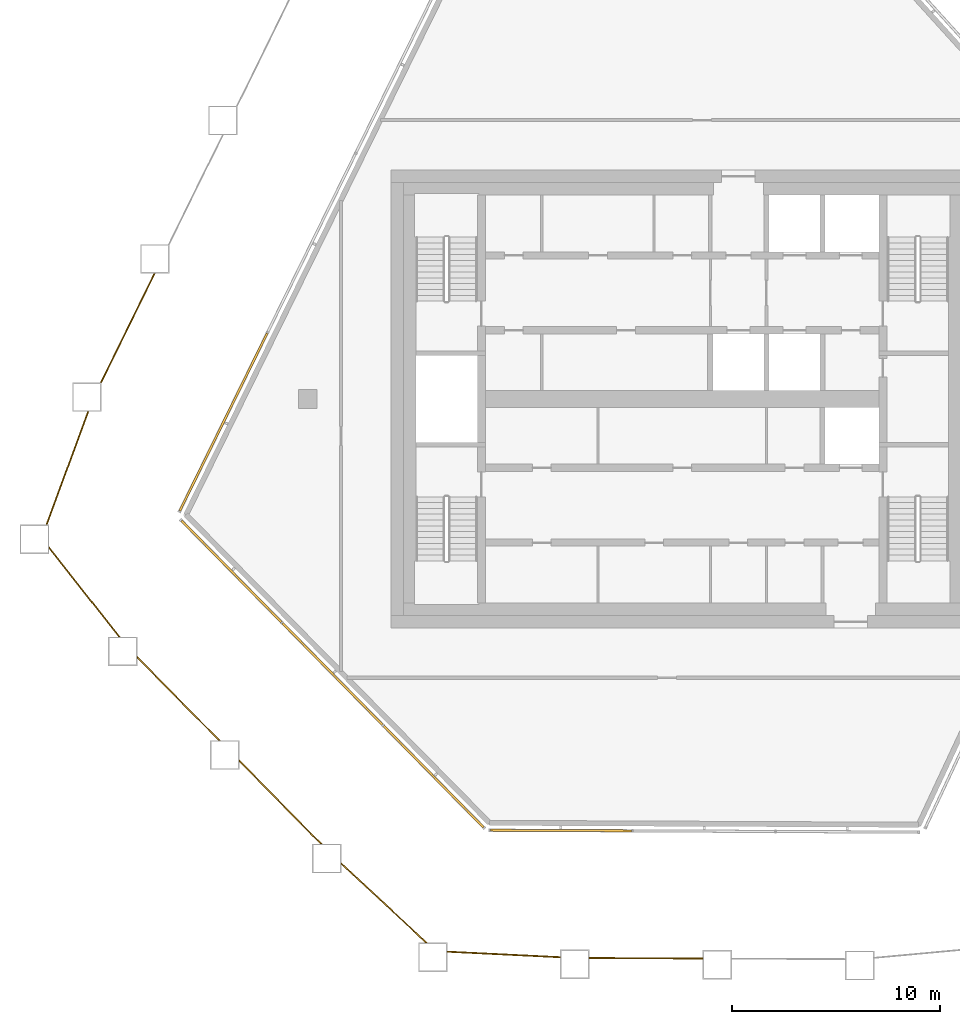
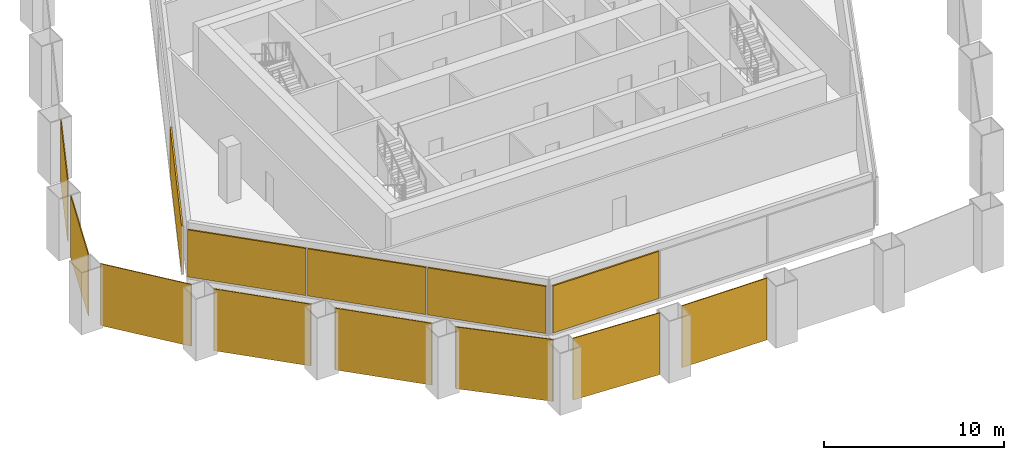
# One storey, part 12 of 18: 13 coverings, 3 elements without a shape of their own.
"""IFC4 building model written with IfcOpenShell, lengths in metres."""

from ifc_helpers import new_model, si_unit, direction, frame, origin, origin_2d, place, context, subcontext, project, spatial, polyline, rectangle, outline, extrude, material, layer, layer_set, type_object, element, aggregate, save


model = new_model("IFC4")

# Units and contexts
model_context = context("Model", 3, precision=1e-05, world=origin(), true_north=direction((0.0, 1.0)))
body_context = subcontext(model_context, "Body", "Model", "MODEL_VIEW")
ifc_project = project(units=[si_unit("LENGTHUNIT", "METRE"), si_unit("AREAUNIT", "SQUARE_METRE"), si_unit("VOLUMEUNIT", "CUBIC_METRE"), si_unit("PLANEANGLEUNIT", "RADIAN"), si_unit("MASSUNIT", "GRAM", prefix="KILO")], contexts=[model_context])

# Site, building, storey
site_placement = place(None, origin())
site = spatial("IfcSite", under=ifc_project, at=site_placement, CompositionType="ELEMENT")
building_placement = place(site_placement, origin())
building = spatial("IfcBuilding", under=site, at=building_placement, Name="Dongbaek Canopy Tower", CompositionType="ELEMENT")
storey_placement = place(building_placement, frame((0.0, 0.0, 363.199951171875)))
storey = spatial("IfcBuildingStorey", under=building, at=storey_placement, Name="L78", CompositionType="ELEMENT", Elevation=363.199951171875)

# Coverings
ifc_material_1 = material(Name="Perforated pale metal")
ifc_layer_1 = layer(ifc_material_1, 0.06005859375)
ifc_layer_set_1 = layer_set([ifc_layer_1], Name="Crown plant screen")
covering_type_1 = type_object("IfcCoveringType", Name="Crown plant screen", PredefinedType="CLADDING", material=ifc_layer_set_1)
covering_1_placement = place(storey_placement, origin())
element("IfcCovering", 1, at=covering_1_placement, inside=storey, type_object=covering_type_1, Name="Crown plant screen 1 L78", PredefinedType="CLADDING", context=body_context, shape_type="SweptSolid", body=[
    extrude(outline(polyline([(-30.428955078125, -7.197998046875), (-30.428955078125, -7.10107421875), (-27.02001953125, -11.43408203125), (-27.09619140625, -11.43408203125), (-30.428955078125, -7.197998046875)])), origin(), (0.0, 0.0, 1.0), 4.199951171875),
])
covering_2_placement = place(storey_placement, origin())
element("IfcCovering", 2, at=covering_2_placement, inside=storey, type_object=covering_type_1, Name="Crown plant screen 2 L78", PredefinedType="CLADDING", context=body_context, shape_type="SweptSolid", body=[
    extrude(outline(polyline([(-26.18896484375, -12.4599609375), (-26.18896484375, -12.37451171875), (-22.21240234375, -16.412109375), (-22.29638671875, -16.412109375), (-26.18896484375, -12.4599609375)])), origin(), (0.0, 0.0, 1.0), 4.199951171875),
])
covering_3_placement = place(storey_placement, origin())
element("IfcCovering", 3, at=covering_3_placement, inside=storey, type_object=covering_type_1, Name="Crown plant screen 3 L78", PredefinedType="CLADDING", context=body_context, shape_type="SweptSolid", body=[
    extrude(outline(polyline([(-21.285888671875, -17.43798828125), (-21.285888671875, -17.352294921875), (-17.310302734375, -21.388916015625), (-17.39453125, -21.388916015625), (-21.285888671875, -17.43798828125)])), origin(), (0.0, 0.0, 1.0), 4.199951171875),
])
covering_4_placement = place(storey_placement, origin())
element("IfcCovering", 4, at=covering_4_placement, inside=storey, type_object=covering_type_1, Name="Crown plant screen 4 L78", PredefinedType="CLADDING", context=body_context, shape_type="SweptSolid", body=[
    extrude(outline(polyline([(-16.384033203125, -22.371337890625), (-16.384033203125, -22.289306640625), (-12.253173828125, -26.131103515625), (-12.34130859375, -26.131103515625), (-16.384033203125, -22.371337890625)])), origin(), (0.0, 0.0, 1.0), 4.199951171875),
])
covering_5_placement = place(storey_placement, origin())
element("IfcCovering", 5, at=covering_5_placement, inside=storey, type_object=covering_type_1, Name="Crown plant screen 5 L78", PredefinedType="CLADDING", context=body_context, shape_type="SweptSolid", body=[
    extrude(outline(polyline([(-11.284912109375, -26.59521484375), (-11.284912109375, -26.53515625), (-5.865966796875, -26.802001953125), (-5.865966796875, -26.8623046875), (-11.284912109375, -26.59521484375)])), origin(), (0.0, 0.0, 1.0), 4.199951171875),
])
covering_6_placement = place(storey_placement, origin())
element("IfcCovering", 6, at=covering_6_placement, inside=storey, type_object=covering_type_1, Name="Crown plant screen 6 L78", PredefinedType="CLADDING", context=body_context, shape_type="SweptSolid", body=[
    extrude(outline(polyline([(-4.466064453125, -26.900146484375), (-4.466064453125, -26.840087890625), (0.98291015625, -26.864013671875), (0.98291015625, -26.923828125), (-4.466064453125, -26.900146484375)])), origin(), (0.0, 0.0, 1.0), 4.199951171875),
])
covering_7_placement = place(storey_placement, origin())
element("IfcCovering", 7, at=covering_7_placement, inside=storey, type_object=covering_type_1, Name="Crown plant screen 25 L78", PredefinedType="CLADDING", context=body_context, shape_type="SweptSolid", body=[
    extrude(outline(polyline([(-25.390380859375, 6.034912109375), (-25.323486328125, 6.034912109375), (-27.9169921875, 0.76171875), (-27.9169921875, 0.785888671875), (-27.971923828125, 0.785888671875), (-25.390380859375, 6.034912109375)])), origin(), (0.0, 0.0, 1.0), 4.199951171875),
])
covering_8_placement = place(storey_placement, origin())
element("IfcCovering", 8, at=covering_8_placement, inside=storey, type_object=covering_type_1, Name="Crown plant screen 26 L78", PredefinedType="CLADDING", context=body_context, shape_type="SweptSolid", body=[
    extrude(outline(polyline([(-28.586669921875, -0.614013671875), (-28.522705078125, -0.614013671875), (-30.52001953125, -6.044921875), (-30.583984375, -6.044921875), (-28.586669921875, -0.614013671875)])), origin(), (0.0, 0.0, 1.0), 4.199951171875),
])

# Curtain wall, covering
ifc_material_2 = material(Name="Aluminium 6063-T6 pale anodised", Category="aluminium")
ifc_layer_2 = layer(ifc_material_2, 0.14990234375)
ifc_layer_set_2 = layer_set([ifc_layer_2], Name="CW-7 louvre curtain wall")
curtain_wall_type = type_object("IfcCurtainWallType", Name="CW-7 louvre curtain wall", PredefinedType="NOTDEFINED", material=ifc_layer_set_2)
curtain_wall_1_placement = place(storey_placement, origin())
curtain_wall_1 = element("IfcCurtainWall", 9, at=curtain_wall_1_placement, inside=storey, type_object=curtain_wall_type, Name="CW-7 louvre wall L78 F0", PredefinedType="NOTDEFINED")
ifc_material_3 = material(Name="Aluminium 6063-T6 pale metal louvre blades", Category="aluminium")
ifc_layer_3 = layer(ifc_material_3, 0.10009765625)
ifc_layer_set_3 = layer_set([ifc_layer_3], Name="Louvre LV bank 100 x 3200")
covering_type_2 = type_object("IfcCoveringType", Name="Louvre LV bank 100 x 3200", PredefinedType="CLADDING", material=ifc_layer_set_3)
covering_9_placement = place(storey_placement, frame((-5.828369140625, -20.741943359375, 0.30029296875), z_axis=(0.0, 0.0, 1.0), x_axis=(0.999990026762, -0.004466136555, 0.0)))
covering_9 = element("IfcCovering", 10, at=covering_9_placement, type_object=covering_type_2, Name="Louvre L78 F0.1.1", PredefinedType="CLADDING", context=body_context, shape_type="SweptSolid", body=[
    extrude(rectangle(XDim=6.787841796875, YDim=0.10009765625, at=origin_2d()), origin(), (0.0, 0.0, 1.0), 3.199951171875),
])
aggregate(curtain_wall_1, [covering_9])

curtain_wall_2_placement = place(storey_placement, origin())
curtain_wall_2 = element("IfcCurtainWall", 11, at=curtain_wall_2_placement, inside=storey, type_object=curtain_wall_type, Name="CW-7 louvre wall L78 F4", PredefinedType="NOTDEFINED")
covering_10_placement = place(storey_placement, frame((-22.04638671875, -1.105712890625, 0.30029296875), z_axis=(0.0, 0.0, 1.0), x_axis=(-0.441341619439, -0.897339163834, 0.0)))
covering_10 = element("IfcCovering", 12, at=covering_10_placement, type_object=covering_type_2, Name="Louvre L78 F4.1.3", PredefinedType="CLADDING", context=body_context, shape_type="SweptSolid", body=[
    extrude(rectangle(XDim=9.51171875, YDim=0.10009765625, at=origin_2d()), origin(), (0.0, 0.0, 1.0), 3.199951171875),
])
aggregate(curtain_wall_2, [covering_10])

# Curtain wall, coverings
curtain_wall_3_placement = place(storey_placement, origin())
curtain_wall_3 = element("IfcCurtainWall", 13, at=curtain_wall_3_placement, inside=storey, type_object=curtain_wall_type, Name="CW-7 louvre wall L78 F5", PredefinedType="NOTDEFINED")
covering_11_placement = place(storey_placement, frame((-21.669677734375, -8.28173828125, 0.30029296875), z_axis=(0.0, 0.0, 1.0), x_axis=(0.70171826998, -0.712454538603, 0.0)))
covering_11 = element("IfcCovering", 14, at=covering_11_placement, type_object=covering_type_2, Name="Louvre L78 F5.1.1", PredefinedType="CLADDING", context=body_context, shape_type="SweptSolid", body=[
    extrude(rectangle(XDim=6.83837890625, YDim=0.10009765625, at=origin_2d()), origin(), (0.0, 0.0, 1.0), 3.199951171875),
])
covering_12_placement = place(storey_placement, frame((-16.807861328125, -13.218017578125, 0.30029296875), z_axis=(0.0, 0.0, 1.0), x_axis=(0.70171826998, -0.712454538603, 0.0)))
covering_12 = element("IfcCovering", 15, at=covering_12_placement, type_object=covering_type_2, Name="Louvre L78 F5.1.2", PredefinedType="CLADDING", context=body_context, shape_type="SweptSolid", body=[
    extrude(rectangle(XDim=6.83837890625, YDim=0.10009765625, at=origin_2d()), origin(), (0.0, 0.0, 1.0), 3.199951171875),
])
covering_13_placement = place(storey_placement, frame((-11.946044921875, -18.154052734375, 0.30029296875), z_axis=(0.0, 0.0, 1.0), x_axis=(0.70171826998, -0.712454538603, 0.0)))
covering_13 = element("IfcCovering", 16, at=covering_13_placement, type_object=covering_type_2, Name="Louvre L78 F5.1.3", PredefinedType="CLADDING", context=body_context, shape_type="SweptSolid", body=[
    extrude(rectangle(XDim=6.83837890625, YDim=0.10009765625, at=origin_2d()), origin(), (0.0, 0.0, 1.0), 3.199951171875),
])
aggregate(curtain_wall_3, [covering_11, covering_12, covering_13])

save(model, "model.ifc")
